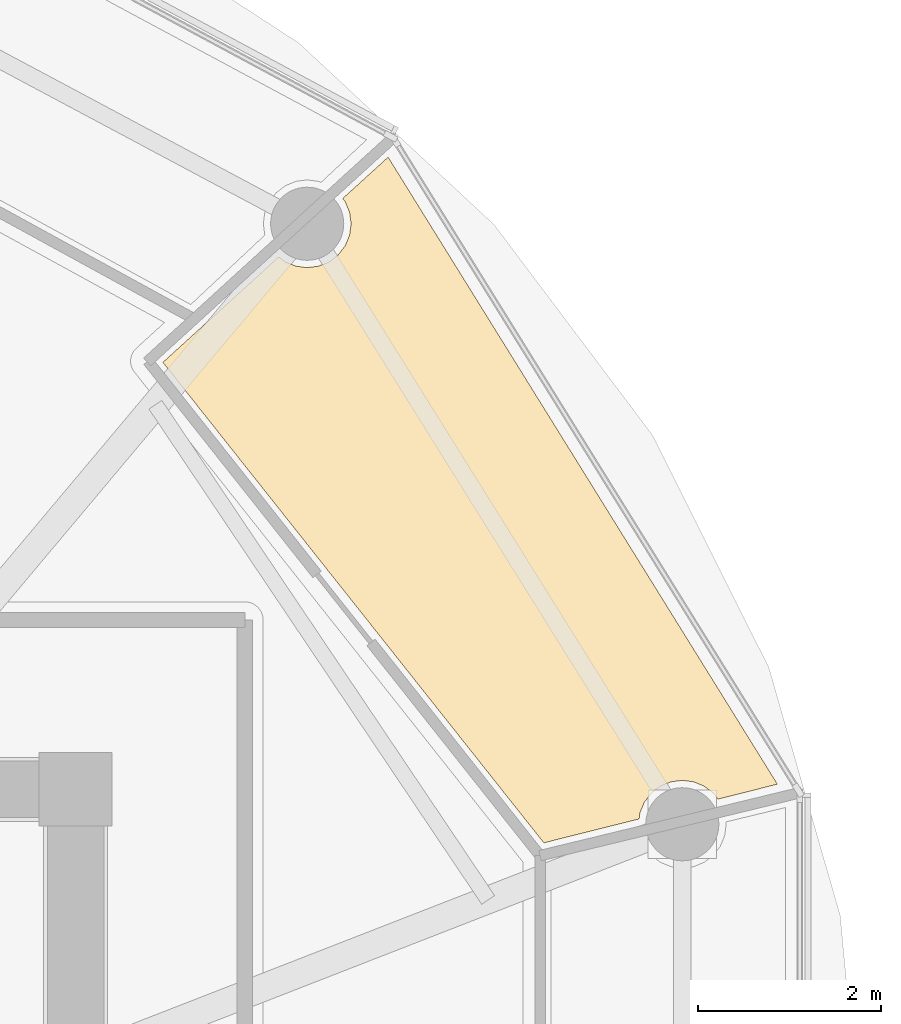
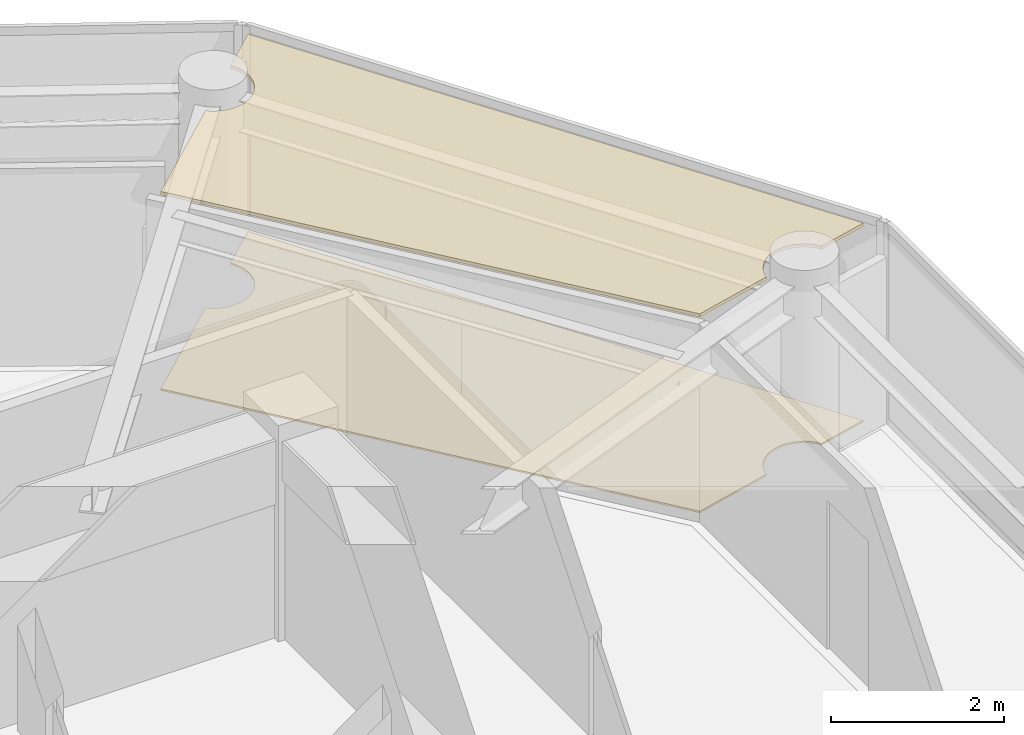
# One storey, part 26 of 28: 2 coverings.
"""IFC4 building model written with IfcOpenShell, lengths in metres."""

from ifc_helpers import new_model, si_unit, direction, frame, origin, place, context, subcontext, project, spatial, polyline, outline, extrude, material, layer, layer_set, type_object, element, save


model = new_model("IFC4")

# Units and contexts
model_context = context("Model", 3, precision=1e-05, world=origin(), true_north=direction((0.0, 1.0)))
body_context = subcontext(model_context, "Body", "Model", "MODEL_VIEW")
ifc_project = project(units=[si_unit("LENGTHUNIT", "METRE"), si_unit("AREAUNIT", "SQUARE_METRE"), si_unit("VOLUMEUNIT", "CUBIC_METRE"), si_unit("PLANEANGLEUNIT", "RADIAN"), si_unit("MASSUNIT", "GRAM", prefix="KILO")], contexts=[model_context])

# Site, building, storey
site_placement = place(None, origin())
site = spatial("IfcSite", under=ifc_project, at=site_placement, CompositionType="ELEMENT")
building_placement = place(site_placement, origin())
building = spatial("IfcBuilding", under=site, at=building_placement, Name="Norrkilde Senior Care Towers", CompositionType="ELEMENT")
storey_placement = place(building_placement, frame((0.0, 0.0, 134.300048828125)))
storey = spatial("IfcBuildingStorey", under=building, at=storey_placement, Name="L41", CompositionType="ELEMENT", Elevation=134.300048828125)

# Coverings
ifc_material_1 = material(Name="Nordic Ash Timber", Category="wood")
ifc_layer_1 = layer(ifc_material_1, 0.044921875)
ifc_layer_set_1 = layer_set([ifc_layer_1], Name="Nordic Ash Timber")
covering_type_1 = type_object("IfcCoveringType", Name="Acoustic Ash Timber Slatted Ceiling 45", PredefinedType="CEILING", material=ifc_layer_set_1)
covering_1_placement = place(storey_placement, frame((0.0, 0.0, 2.764892578125)))
element("IfcCovering", 1, at=covering_1_placement, inside=storey, type_object=covering_type_1, Name="L41 Suspended Ceiling 0302", PredefinedType="CEILING", context=body_context, shape_type="SweptSolid", body=[
    extrude(outline(polyline([(42.673828125, 5.841796875), (42.624267578125, 5.906494140625), (42.52490234375, 5.982666015625), (42.4091796875, 6.03076171875), (42.284912109375, 6.047119140625), (42.16064453125, 6.03076171875), (42.044921875, 5.982666015625), (41.945556640625, 5.906494140625), (41.869140625, 5.80712890625), (41.8212890625, 5.691162109375), (41.812744140625, 5.62548828125), (40.770751953125, 5.36376953125), (36.604736328125, 10.618896484375), (37.87158203125, 11.773193359375), (37.942626953125, 11.71875), (38.058349609375, 11.6708984375), (38.1826171875, 11.654541015625), (38.306884765625, 11.6708984375), (38.422607421875, 11.71875), (38.52197265625, 11.795166015625), (38.598388671875, 11.89453125), (38.646240234375, 12.01025390625), (38.66259765625, 12.134521484375), (38.646240234375, 12.2587890625), (38.598388671875, 12.37451171875), (38.57080078125, 12.410400390625), (39.0673828125, 12.863037109375), (43.324951171875, 6.00537109375), (42.673828125, 5.841796875)])), origin(), (0.0, 0.0, 1.0), 0.045166015625),
])
ifc_material_2 = material(Name="Slip-Resistant Porcelain Stone", Category="masonry")
ifc_layer_2 = layer(ifc_material_2, 0.02490234375)
ifc_layer_set_2 = layer_set([ifc_layer_2], Name="Slip-Resistant Porcelain Stone")
covering_type_2 = type_object("IfcCoveringType", Name="Slip-Resistant Porcelain Flooring 25", PredefinedType="FLOORING", material=ifc_layer_set_2)
covering_2_placement = place(storey_placement, origin())
element("IfcCovering", 2, at=covering_2_placement, inside=storey, type_object=covering_type_2, Name="L41 Floor Finish 0302", PredefinedType="FLOORING", context=body_context, shape_type="SweptSolid", body=[
    extrude(outline(polyline([(42.673828125, 5.841796875), (42.624267578125, 5.906494140625), (42.52490234375, 5.982666015625), (42.4091796875, 6.03076171875), (42.284912109375, 6.047119140625), (42.16064453125, 6.03076171875), (42.044921875, 5.982666015625), (41.945556640625, 5.906494140625), (41.869140625, 5.80712890625), (41.8212890625, 5.691162109375), (41.812744140625, 5.62548828125), (40.770751953125, 5.36376953125), (36.604736328125, 10.618896484375), (37.87158203125, 11.773193359375), (37.942626953125, 11.71875), (38.058349609375, 11.6708984375), (38.1826171875, 11.654541015625), (38.306884765625, 11.6708984375), (38.422607421875, 11.71875), (38.52197265625, 11.795166015625), (38.598388671875, 11.89453125), (38.646240234375, 12.01025390625), (38.66259765625, 12.134521484375), (38.646240234375, 12.2587890625), (38.598388671875, 12.37451171875), (38.57080078125, 12.410400390625), (39.0673828125, 12.863037109375), (43.324951171875, 6.00537109375), (42.673828125, 5.841796875)])), origin(), (0.0, 0.0, 1.0), 0.02490234375),
])

save(model, "model.ifc")
